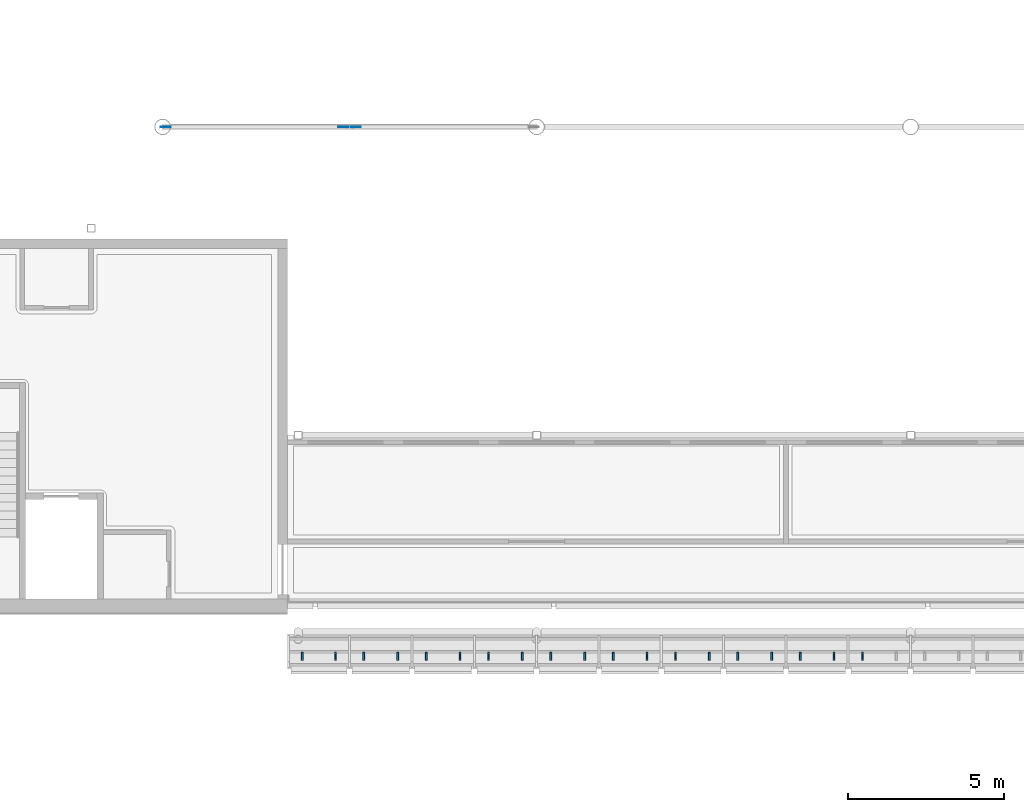
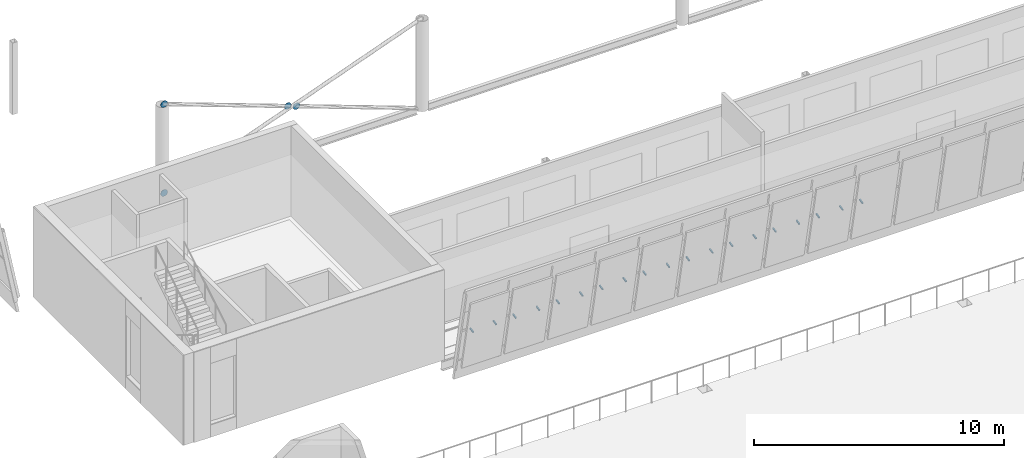
# One storey, part 60 of 95: 23 discrete accessories.
"""IFC4 building model written with IfcOpenShell, lengths in metres."""

from ifc_helpers import new_model, si_unit, direction, frame, origin, origin_2d, place, context, subcontext, project, spatial, rectangle, circle, extrude, material, layer, layer_set, type_object, element, save


model = new_model("IFC4")

# Units and contexts
model_context = context("Model", 3, precision=1e-05, world=origin(), true_north=direction((0.0, 1.0)))
body_context = subcontext(model_context, "Body", "Model", "MODEL_VIEW")
ifc_project = project(units=[si_unit("LENGTHUNIT", "METRE"), si_unit("AREAUNIT", "SQUARE_METRE"), si_unit("VOLUMEUNIT", "CUBIC_METRE"), si_unit("PLANEANGLEUNIT", "RADIAN"), si_unit("MASSUNIT", "GRAM", prefix="KILO")], contexts=[model_context])

# Site, building, storey
site_placement = place(None, origin())
site = spatial("IfcSite", under=ifc_project, at=site_placement, CompositionType="ELEMENT")
building_placement = place(site_placement, origin())
building = spatial("IfcBuilding", under=site, at=building_placement, Name="Windward Yard Aquatics Centre", CompositionType="ELEMENT")
storey_placement = place(building_placement, frame((0.0, 0.0, 9.39990234375)))
storey = spatial("IfcBuildingStorey", under=building, at=storey_placement, Name="L02", CompositionType="ELEMENT", Elevation=9.39990234375)

# Discrete accessories
ifc_material = material(Name="Steel S355", Category="steel")
ifc_layer = layer(ifc_material, 0.011962890625)
ifc_layer_set = layer_set([ifc_layer], Name="Gusset plate 320 mm disc 12 mm")
discrete_accessory_type = type_object("IfcDiscreteAccessoryType", Name="Gusset plate 320 mm disc 12 mm", PredefinedType="USERDEFINED", material=ifc_layer_set)
for number, where, z_axis, x_axis, name in (
    (1, (60.093994140625, 41.593994140625, 0.034423828125), (0.0, 1.0, 0.0), (-1.0, 0.0, 0.0), "Gusset plate"),
    (2, (60.093994140625, 41.593994140625, 4.36572265625), (0.0, 1.0, 0.0), (-1.0, 0.0, 0.0), "Gusset plate"),
    (3, (65.802734375, 41.593994140625, 2.2724609375), (0.0, 1.0, 0.0), (-1.0, 0.0, 0.0), "Gusset plate"),
    (4, (66.197265625, 41.593994140625, 2.127685546875), (0.0, 1.0, 0.0), (-1.0, 0.0, 0.0), "Gusset plate"),
):
    element("IfcDiscreteAccessory", number, at=place(storey_placement, frame(where, z_axis=z_axis, x_axis=x_axis)), inside=storey, type_object=discrete_accessory_type, Name=name, ObjectType="GUSSET PLATE", PredefinedType="USERDEFINED", context=body_context, shape_type="SweptSolid", body=[
        extrude(circle(Radius=0.159912109375, at=origin_2d()), origin(), (0.0, 0.0, 1.0), 0.011962890625),
    ])
for number, where, z_axis, x_axis, name in (
    (5, (64.4833984375, 24.732421875, 2.11865234375), (0.0, -0.979936662274, -0.199309151649), (1.0, 0.0, 0.0), "Louvre bracket S L02 A1.1"),
    (6, (65.548828125, 24.732421875, 2.11865234375), (0.0, -0.979936662274, -0.199309151649), (1.0, 0.0, 0.0), "Louvre bracket S L02 A1.2"),
    (7, (66.457763671875, 24.732421875, 2.11865234375), (0.0, -0.979936662274, -0.199309151649), (1.0, 0.0, 0.0), "Louvre bracket S L02 A2.1"),
    (8, (67.541259765625, 24.732421875, 2.11865234375), (0.0, -0.979936662274, -0.199309151649), (1.0, 0.0, 0.0), "Louvre bracket S L02 A2.2"),
    (9, (68.45751953125, 24.732421875, 2.11865234375), (0.0, -0.979936662274, -0.199309151649), (1.0, 0.0, 0.0), "Louvre bracket S L02 A3.1"),
    (10, (69.541015625, 24.732421875, 2.11865234375), (0.0, -0.979936662274, -0.199309151649), (1.0, 0.0, 0.0), "Louvre bracket S L02 A3.2"),
    (11, (70.457275390625, 24.732421875, 2.11865234375), (0.0, -0.979936662274, -0.199309151649), (1.0, 0.0, 0.0), "Louvre bracket S L02 A4.1"),
    (12, (71.540771484375, 24.732421875, 2.11865234375), (0.0, -0.979936662274, -0.199309151649), (1.0, 0.0, 0.0), "Louvre bracket S L02 A4.2"),
    (13, (72.45703125, 24.732421875, 2.11865234375), (0.0, -0.979936662274, -0.199309151649), (1.0, 0.0, 0.0), "Louvre bracket S L02 A5.1"),
    (14, (73.54052734375, 24.732421875, 2.11865234375), (0.0, -0.979936662274, -0.199309151649), (1.0, 0.0, 0.0), "Louvre bracket S L02 A5.2"),
    (15, (74.456787109375, 24.732421875, 2.11865234375), (0.0, -0.979936662274, -0.199309151649), (1.0, 0.0, 0.0), "Louvre bracket S L02 A6.1"),
    (16, (75.540283203125, 24.732421875, 2.11865234375), (0.0, -0.979936662274, -0.199309151649), (1.0, 0.0, 0.0), "Louvre bracket S L02 A6.2"),
    (17, (76.45654296875, 24.732421875, 2.11865234375), (0.0, -0.979936662274, -0.199309151649), (1.0, 0.0, 0.0), "Louvre bracket S L02 A7.1"),
    (18, (77.5400390625, 24.732421875, 2.11865234375), (0.0, -0.979936662274, -0.199309151649), (1.0, 0.0, 0.0), "Louvre bracket S L02 A7.2"),
    (19, (78.456298828125, 24.732421875, 2.11865234375), (0.0, -0.979936662274, -0.199309151649), (1.0, 0.0, 0.0), "Louvre bracket S L02 A8.1"),
    (20, (79.539794921875, 24.732421875, 2.11865234375), (0.0, -0.979936662274, -0.199309151649), (1.0, 0.0, 0.0), "Louvre bracket S L02 A8.2"),
    (21, (80.4560546875, 24.732421875, 2.11865234375), (0.0, -0.979936662274, -0.199309151649), (1.0, 0.0, 0.0), "Louvre bracket S L02 A9.1"),
    (22, (81.53955078125, 24.732421875, 2.11865234375), (0.0, -0.979936662274, -0.199309151649), (1.0, 0.0, 0.0), "Louvre bracket S L02 A9.2"),
    (23, (82.455810546875, 24.732421875, 2.11865234375), (0.0, -0.979936662274, -0.199309151649), (1.0, 0.0, 0.0), "Louvre bracket S L02 A10.1"),
):
    element("IfcDiscreteAccessory", number, at=place(storey_placement, frame(where, z_axis=z_axis, x_axis=x_axis)), inside=storey, Name=name, PredefinedType="BRACKET", context=body_context, shape_type="SweptSolid", body=[
        extrude(rectangle(XDim=0.06005859375, YDim=0.06005859375, at=origin_2d()), origin(), (0.0, 0.0, 1.0), 0.25),
    ])

save(model, "model.ifc")
